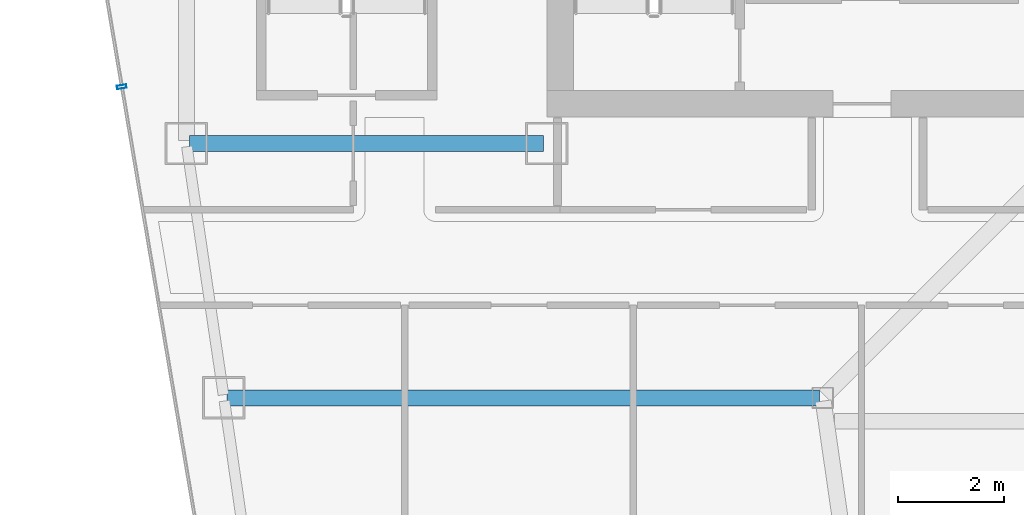
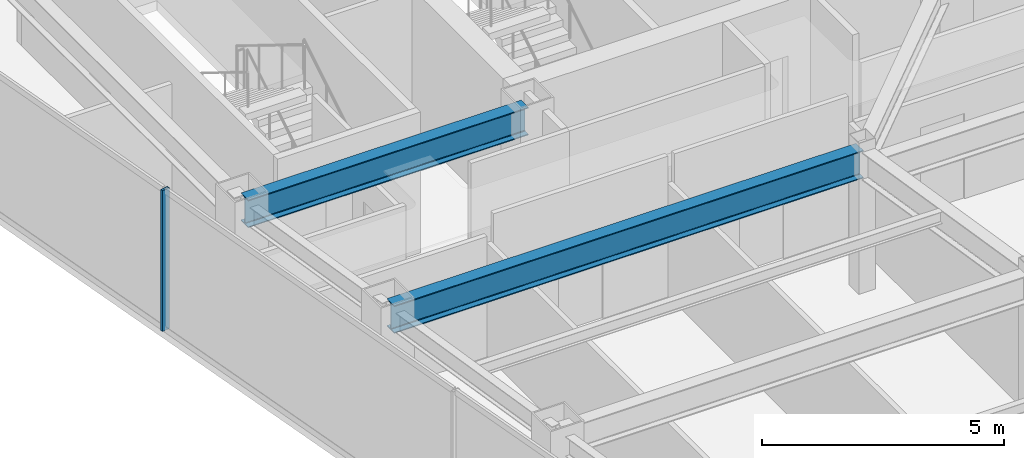
# One storey, part 11 of 36: 2 beams, 1 member, 1 element without a shape of its own.
"""IFC4 building model written with IfcOpenShell, lengths in metres."""

from ifc_helpers import new_model, si_unit, direction, frame, origin, origin_2d, place, context, subcontext, project, spatial, hollow_rectangle, i_section, extrude, material, material_profile, profile_set, type_object, element, aggregate, save


model = new_model("IFC4")

# Units and contexts
model_context = context("Model", 3, precision=1e-05, world=origin(), true_north=direction((0.0, 1.0)))
body_context = subcontext(model_context, "Body", "Model", "MODEL_VIEW")
ifc_project = project(units=[si_unit("LENGTHUNIT", "METRE"), si_unit("AREAUNIT", "SQUARE_METRE"), si_unit("VOLUMEUNIT", "CUBIC_METRE"), si_unit("PLANEANGLEUNIT", "RADIAN"), si_unit("MASSUNIT", "GRAM", prefix="KILO")], contexts=[model_context])

# Site, building, storey
site_placement = place(None, origin())
site = spatial("IfcSite", under=ifc_project, at=site_placement, CompositionType="ELEMENT")
building_placement = place(site_placement, origin())
building = spatial("IfcBuilding", under=site, at=building_placement, Name="Saevonmaru Cultural Tower", CompositionType="ELEMENT")
storey_placement = place(building_placement, frame((0.0, 0.0, 198.0)))
storey = spatial("IfcBuildingStorey", under=building, at=storey_placement, Name="L45", CompositionType="ELEMENT", Elevation=198.0)

# Beams
ifc_material_1 = material(Name="Steel SM355", Category="steel")
ifc_material_profile_1 = material_profile(ifc_material_1, i_section(OverallWidth=0.300048828125, OverallDepth=0.699951171875, WebThickness=0.012939453125, FlangeThickness=0.02392578125, FilletRadius=0.02587890625, at=origin_2d()), Name="H-700x300x13x24")
ifc_profile_set_1 = profile_set([ifc_material_profile_1], Name="Steel SM355")
beam_type = type_object("IfcBeamType", Name="BM-G-H700", PredefinedType="BEAM", material=ifc_profile_set_1)
beam_1_placement = place(storey_placement, frame((6.860107421875, 42.39990234375, 3.199951171875), z_axis=(1.0, 0.0, 0.0), x_axis=(0.0, 1.0, 0.0)))
element("IfcBeam", 1, at=beam_1_placement, inside=storey, type_object=beam_type, Name="L45 Core South Girder 1", PredefinedType="BEAM", context=body_context, shape_type="SweptSolid", body=[
    extrude(i_section(OverallWidth=0.300048828125, OverallDepth=0.699951171875, WebThickness=0.012939453125, FlangeThickness=0.02392578125, FilletRadius=0.02587890625, at=origin_2d()), origin(), (0.0, 0.0, 1.0), 6.679931640625),
])
beam_2_placement = place(storey_placement, frame((7.568115234375, 37.60009765625, 3.199951171875), z_axis=(1.0, 0.0, 0.0), x_axis=(0.0, 1.0, 0.0)))
element("IfcBeam", 2, at=beam_2_placement, inside=storey, type_object=beam_type, Name="L45 West Wing Transverse Girder 4", PredefinedType="BEAM", context=body_context, shape_type="SweptSolid", body=[
    extrude(i_section(OverallWidth=0.300048828125, OverallDepth=0.699951171875, WebThickness=0.012939453125, FlangeThickness=0.02392578125, FilletRadius=0.02587890625, at=origin_2d()), origin(), (0.0, 0.0, 1.0), 11.179931640625),
])

# Curtain wall, member
ifc_material_2 = material(Name="Satin Bronze Anodised Aluminium", Category="aluminium")
curtain_wall_type = type_object("IfcCurtainWallType", Name="CW-TYP-B", PredefinedType="NOTDEFINED", material=ifc_material_2)
curtain_wall_placement = place(storey_placement, origin())
curtain_wall = element("IfcCurtainWall", 3, at=curtain_wall_placement, inside=storey, type_object=curtain_wall_type, Name="L45 Unitised Curtain Wall E12", PredefinedType="NOTDEFINED")
ifc_material_profile_2 = material_profile(ifc_material_2, hollow_rectangle(XDim=0.06494140625, YDim=0.179931640625, WallThickness=0.00390625, at=origin_2d()), Name="ALU-MULL-180x65x4")
ifc_profile_set_2 = profile_set([ifc_material_profile_2], Name="Satin Bronze Anodised Aluminium")
member_type = type_object("IfcMemberType", Name="ML-CW-180x65", PredefinedType="MULLION", material=ifc_profile_set_2)
member_placement = place(storey_placement, frame((5.579345703125, 43.470458984375, 0.0), z_axis=(0.0, 0.0, 1.0), x_axis=(0.16692169721, -0.985970155228, 0.0)))
member = element("IfcMember", 4, at=member_placement, type_object=member_type, Name="CW-TW-L45-E12 mullion 2", PredefinedType="MULLION", context=body_context, shape_type="SweptSolid", body=[
    extrude(hollow_rectangle(XDim=0.06494140625, YDim=0.179931640625, WallThickness=0.00390625, at=origin_2d()), origin(), (0.0, 0.0, 1.0), 3.550048828125),
])
aggregate(curtain_wall, [member])

save(model, "model.ifc")
